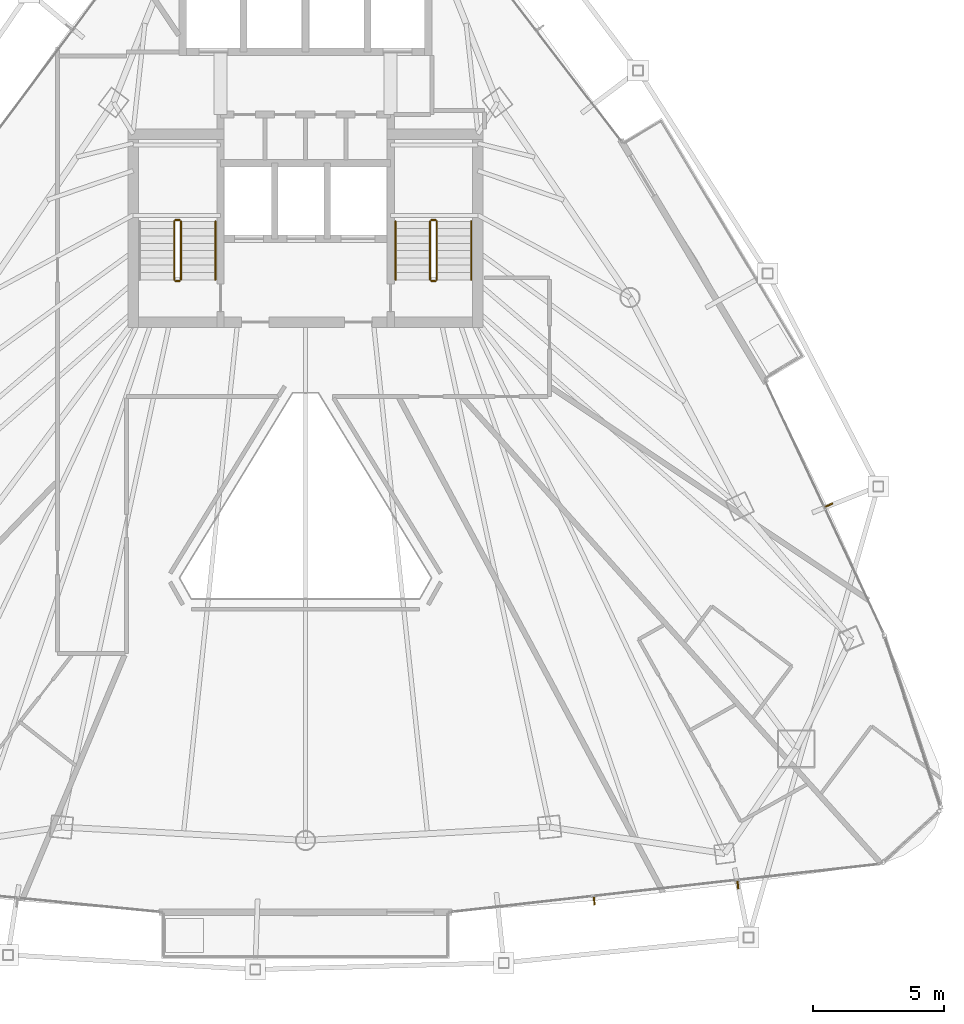
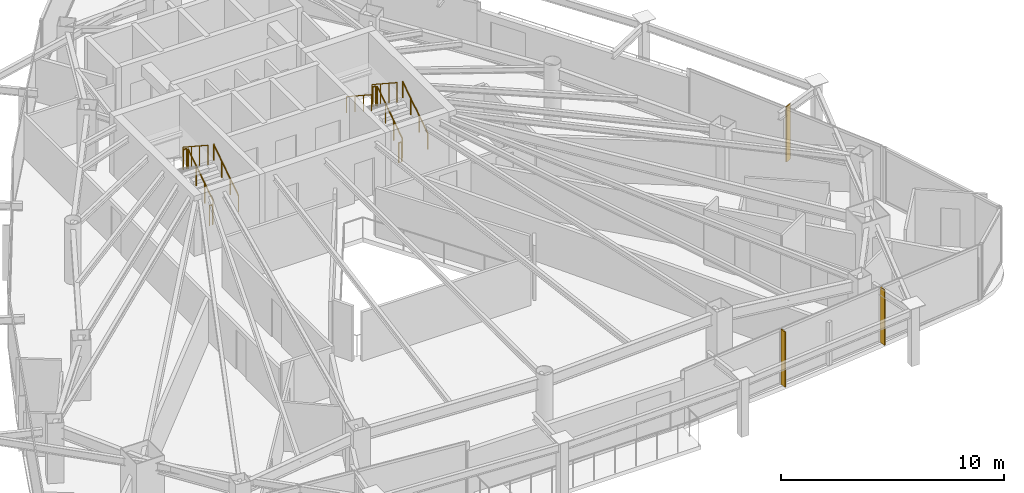
# One storey, part 30 of 31: 11 railings, 3 shading devices.
"""IFC4 building model written with IfcOpenShell, lengths in metres."""

from ifc_helpers import new_model, si_unit, direction, frame, origin, origin_2d, place, context, subcontext, project, spatial, rectangle, circle, extrude, material, layer, layer_set, type_object, element, save


model = new_model("IFC4")

# Units and contexts
model_context = context("Model", 3, precision=1e-05, world=origin(), true_north=direction((0.0, 1.0)))
body_context = subcontext(model_context, "Body", "Model", "MODEL_VIEW")
ifc_project = project(units=[si_unit("LENGTHUNIT", "METRE"), si_unit("AREAUNIT", "SQUARE_METRE"), si_unit("VOLUMEUNIT", "CUBIC_METRE"), si_unit("PLANEANGLEUNIT", "RADIAN"), si_unit("MASSUNIT", "GRAM", prefix="KILO")], contexts=[model_context])

# Site, building, storey
site_placement = place(None, origin())
site = spatial("IfcSite", under=ifc_project, at=site_placement, CompositionType="ELEMENT")
building_placement = place(site_placement, origin())
building = spatial("IfcBuilding", under=site, at=building_placement, Name="Orvanel Arch Residences", CompositionType="ELEMENT")
storey_placement = place(building_placement, frame((0.0, 0.0, 183.64990234375)))
storey = spatial("IfcBuildingStorey", under=building, at=storey_placement, Name="L52", CompositionType="ELEMENT", Elevation=183.64990234375)

# Shading devices
ifc_material_1 = material(Name="Bronze-anodised aluminium AA6063-T6", Category="aluminium")
ifc_layer = layer(ifc_material_1, 0.054931640625)
ifc_layer_set = layer_set([ifc_layer], Name="Bronze-anodised aluminium AA6063-T6")
shading_device_type = type_object("IfcShadingDeviceType", Name="FIN-BRZ-320", PredefinedType="USERDEFINED", material=ifc_layer_set)
for number, where, z_axis, x_axis, name in (
    (1, (44.05908203125, 4.528076171875, 0.0), (0.0, 0.0, 1.0), (0.111468932206, -0.993767919161, 0.0), "L52 Anodised Bronze Mullion FIN 01"),
    (2, (49.56103515625, 5.14306640625, 0.0), (0.0, 0.0, 1.0), (0.111468932206, -0.993767919161, 0.0), "L52 Anodised Bronze Mullion FIN 02"),
    (3, (53.049072265625, 19.68701171875, 0.0), (0.0, 0.0, 1.0), (0.904827052466, 0.425779291565, 0.0), "L52 Anodised Bronze Mullion FIN 01"),
):
    element("IfcShadingDevice", number, at=place(storey_placement, frame(where, z_axis=z_axis, x_axis=x_axis)), inside=storey, type_object=shading_device_type, Name=name, ObjectType="FIN", PredefinedType="USERDEFINED", context=body_context, shape_type="SweptSolid", body=[
        extrude(rectangle(XDim=0.320068359375, YDim=0.054931640625, at=origin_2d()), origin(), (0.0, 0.0, 1.0), 3.02001953125),
    ])

# Railings
ifc_material_2 = material(Name="Structural steel AS/NZS 1163 C350L0 (Grade 350)", Category="steel")
railing_type_1 = type_object("IfcRailingType", Name="RL-STAIR-GUARD", PredefinedType="GUARDRAIL", material=ifc_material_2)
railing_1_placement = place(storey_placement, frame((28.22998046875, 28.320068359375, 0.183349609375)))
element("IfcRailing", 4, at=railing_1_placement, inside=storey, type_object=railing_type_1, Name="L52 ST-1 stair guard 1", PredefinedType="GUARDRAIL", context=body_context, shape_type="SweptSolid", body=[
    extrude(circle(Radius=0.02392578125, at=origin_2d()), frame((0.0, 0.001220703125, 1.076904296875), z_axis=(0.0, 0.836595146698, 0.547821650285), x_axis=(-1.0, 0.0, 0.0)), (0.0, 0.0, 1.0), 2.674560546875),
    extrude(circle(Radius=0.02099609375, at=origin_2d()), origin(), (0.0, 0.0, 1.0), 1.050048828125),
    extrude(circle(Radius=0.02099609375, at=origin_2d()), frame((0.0, 0.74658203125, 0.489013671875)), (0.0, 0.0, 1.0), 1.050048828125),
    extrude(circle(Radius=0.02099609375, at=origin_2d()), frame((0.0, 1.493408203125, 0.977783203125)), (0.0, 0.0, 1.0), 1.050048828125),
    extrude(circle(Radius=0.02099609375, at=origin_2d()), frame((0.0, 2.239990234375, 1.466796875)), (0.0, 0.0, 1.0), 1.050048828125),
])
railing_2_placement = place(storey_placement, frame((28.179931640625, 30.610107421875, 1.650146484375)))
element("IfcRailing", 5, at=railing_2_placement, inside=storey, type_object=railing_type_1, Name="L52 ST-1 stair guard 2", PredefinedType="GUARDRAIL", context=body_context, shape_type="SweptSolid", body=[
    extrude(circle(Radius=0.02392578125, at=origin_2d()), frame((-0.00146484375, 0.0, 1.076171875), z_axis=(-1.0, 0.0, 0.0), x_axis=(0.0, -1.0, 0.0)), (0.0, 0.0, 1.0), 0.156982421875),
    extrude(circle(Radius=0.02099609375, at=origin_2d()), origin(), (0.0, 0.0, 1.0), 1.050048828125),
    extrude(circle(Radius=0.02099609375, at=origin_2d()), frame((-0.159912109375, 0.0, 0.0)), (0.0, 0.0, 1.0), 1.050048828125),
])
railing_3_placement = place(storey_placement, frame((27.969970703125, 30.56005859375, 1.83349609375)))
element("IfcRailing", 6, at=railing_3_placement, inside=storey, type_object=railing_type_1, Name="L52 ST-1 stair guard 3", PredefinedType="GUARDRAIL", context=body_context, shape_type="SweptSolid", body=[
    extrude(circle(Radius=0.02392578125, at=origin_2d()), frame((0.0, -0.001220703125, 1.076904296875), z_axis=(0.0, -0.836636935527, 0.547757827979), x_axis=(1.0, 0.0, 0.0)), (0.0, 0.0, 1.0), 2.67431640625),
    extrude(circle(Radius=0.02099609375, at=origin_2d()), origin(), (0.0, 0.0, 1.0), 1.050048828125),
    extrude(circle(Radius=0.02099609375, at=origin_2d()), frame((0.0, -0.74658203125, 0.48876953125)), (0.0, 0.0, 1.0), 1.050048828125),
    extrude(circle(Radius=0.02099609375, at=origin_2d()), frame((0.0, -1.493408203125, 0.977783203125)), (0.0, 0.0, 1.0), 1.050048828125),
    extrude(circle(Radius=0.02099609375, at=origin_2d()), frame((0.0, -2.239990234375, 1.466552734375)), (0.0, 0.0, 1.0), 1.050048828125),
])
railing_4_placement = place(storey_placement, frame((28.179931640625, 28.27001953125, 0.0)))
element("IfcRailing", 7, at=railing_4_placement, inside=storey, type_object=railing_type_1, Name="L52 ST-1 stair guard 4", PredefinedType="GUARDRAIL", context=body_context, shape_type="SweptSolid", body=[
    extrude(circle(Radius=0.02392578125, at=origin_2d()), frame((-0.00146484375, 0.0, 1.076171875), z_axis=(-1.0, 0.0, 0.0), x_axis=(0.0, -1.0, 0.0)), (0.0, 0.0, 1.0), 0.156982421875),
    extrude(circle(Radius=0.02099609375, at=origin_2d()), origin(), (0.0, 0.0, 1.0), 1.050048828125),
    extrude(circle(Radius=0.02099609375, at=origin_2d()), frame((-0.159912109375, 0.0, 0.0)), (0.0, 0.0, 1.0), 1.050048828125),
])
railing_5_placement = place(storey_placement, frame((38.030029296875, 28.320068359375, 0.183349609375)))
element("IfcRailing", 8, at=railing_5_placement, inside=storey, type_object=railing_type_1, Name="L52 ST-2 stair guard 1", PredefinedType="GUARDRAIL", context=body_context, shape_type="SweptSolid", body=[
    extrude(circle(Radius=0.02392578125, at=origin_2d()), frame((0.0, 0.001220703125, 1.076904296875), z_axis=(0.0, 0.836595146698, 0.547821650285), x_axis=(-1.0, 0.0, 0.0)), (0.0, 0.0, 1.0), 2.674560546875),
    extrude(circle(Radius=0.02099609375, at=origin_2d()), origin(), (0.0, 0.0, 1.0), 1.050048828125),
    extrude(circle(Radius=0.02099609375, at=origin_2d()), frame((0.0, 0.74658203125, 0.489013671875)), (0.0, 0.0, 1.0), 1.050048828125),
    extrude(circle(Radius=0.02099609375, at=origin_2d()), frame((0.0, 1.493408203125, 0.977783203125)), (0.0, 0.0, 1.0), 1.050048828125),
    extrude(circle(Radius=0.02099609375, at=origin_2d()), frame((0.0, 2.239990234375, 1.466796875)), (0.0, 0.0, 1.0), 1.050048828125),
])
railing_6_placement = place(storey_placement, frame((37.97998046875, 30.610107421875, 1.650146484375)))
element("IfcRailing", 9, at=railing_6_placement, inside=storey, type_object=railing_type_1, Name="L52 ST-2 stair guard 2", PredefinedType="GUARDRAIL", context=body_context, shape_type="SweptSolid", body=[
    extrude(circle(Radius=0.02392578125, at=origin_2d()), frame((-0.00146484375, 0.0, 1.076171875), z_axis=(-1.0, 0.0, 0.0), x_axis=(0.0, -1.0, 0.0)), (0.0, 0.0, 1.0), 0.156982421875),
    extrude(circle(Radius=0.02099609375, at=origin_2d()), origin(), (0.0, 0.0, 1.0), 1.050048828125),
    extrude(circle(Radius=0.02099609375, at=origin_2d()), frame((-0.159912109375, 0.0, 0.0)), (0.0, 0.0, 1.0), 1.050048828125),
])
railing_7_placement = place(storey_placement, frame((37.77001953125, 30.56005859375, 1.83349609375)))
element("IfcRailing", 10, at=railing_7_placement, inside=storey, type_object=railing_type_1, Name="L52 ST-2 stair guard 3", PredefinedType="GUARDRAIL", context=body_context, shape_type="SweptSolid", body=[
    extrude(circle(Radius=0.02392578125, at=origin_2d()), frame((0.0, -0.001220703125, 1.076904296875), z_axis=(0.0, -0.836636935527, 0.547757827979), x_axis=(1.0, 0.0, 0.0)), (0.0, 0.0, 1.0), 2.67431640625),
    extrude(circle(Radius=0.02099609375, at=origin_2d()), origin(), (0.0, 0.0, 1.0), 1.050048828125),
    extrude(circle(Radius=0.02099609375, at=origin_2d()), frame((0.0, -0.74658203125, 0.48876953125)), (0.0, 0.0, 1.0), 1.050048828125),
    extrude(circle(Radius=0.02099609375, at=origin_2d()), frame((0.0, -1.493408203125, 0.977783203125)), (0.0, 0.0, 1.0), 1.050048828125),
    extrude(circle(Radius=0.02099609375, at=origin_2d()), frame((0.0, -2.239990234375, 1.466552734375)), (0.0, 0.0, 1.0), 1.050048828125),
])
railing_8_placement = place(storey_placement, frame((37.97998046875, 28.27001953125, 0.0)))
element("IfcRailing", 11, at=railing_8_placement, inside=storey, type_object=railing_type_1, Name="L52 ST-2 stair guard 4", PredefinedType="GUARDRAIL", context=body_context, shape_type="SweptSolid", body=[
    extrude(circle(Radius=0.02392578125, at=origin_2d()), frame((-0.00146484375, 0.0, 1.076171875), z_axis=(-1.0, 0.0, 0.0), x_axis=(0.0, -1.0, 0.0)), (0.0, 0.0, 1.0), 0.156982421875),
    extrude(circle(Radius=0.02099609375, at=origin_2d()), origin(), (0.0, 0.0, 1.0), 1.050048828125),
    extrude(circle(Radius=0.02099609375, at=origin_2d()), frame((-0.159912109375, 0.0, 0.0)), (0.0, 0.0, 1.0), 1.050048828125),
])
railing_type_2 = type_object("IfcRailingType", Name="RL-STAIR-HAND", PredefinedType="HANDRAIL", material=ifc_material_2)
for number, where, name in (
    (12, (29.550048828125, 28.320068359375, 0.183349609375), "L52 ST-1 stair handrail 1"),
    (13, (39.35009765625, 28.320068359375, 0.183349609375), "L52 ST-2 stair handrail 1"),
):
    element("IfcRailing", number, at=place(storey_placement, frame(where)), inside=storey, type_object=railing_type_2, Name=name, PredefinedType="HANDRAIL", context=body_context, shape_type="SweptSolid", body=[
        extrude(circle(Radius=0.02392578125, at=origin_2d()), frame((0.0, 0.001220703125, 0.876708984375), z_axis=(0.0, 0.836595146698, 0.547821650285), x_axis=(-1.0, 0.0, 0.0)), (0.0, 0.0, 1.0), 2.674560546875),
        extrude(circle(Radius=0.02099609375, at=origin_2d()), origin(), (0.0, 0.0, 1.0), 0.849853515625),
        extrude(circle(Radius=0.02099609375, at=origin_2d()), frame((0.0, 0.74658203125, 0.489013671875)), (0.0, 0.0, 1.0), 0.849853515625),
        extrude(circle(Radius=0.02099609375, at=origin_2d()), frame((0.0, 1.493408203125, 0.977783203125)), (0.0, 0.0, 1.0), 0.849853515625),
        extrude(circle(Radius=0.02099609375, at=origin_2d()), frame((0.0, 2.239990234375, 1.466796875)), (0.0, 0.0, 1.0), 0.849853515625),
    ])
railing_9_placement = place(storey_placement, frame((36.449951171875, 30.56005859375, 1.83349609375)))
element("IfcRailing", 14, at=railing_9_placement, inside=storey, type_object=railing_type_2, Name="L52 ST-2 stair handrail 2", PredefinedType="HANDRAIL", context=body_context, shape_type="SweptSolid", body=[
    extrude(circle(Radius=0.02392578125, at=origin_2d()), frame((0.0, -0.001220703125, 0.876708984375), z_axis=(0.0, -0.836636935527, 0.547757827979), x_axis=(1.0, 0.0, 0.0)), (0.0, 0.0, 1.0), 2.67431640625),
    extrude(circle(Radius=0.02099609375, at=origin_2d()), origin(), (0.0, 0.0, 1.0), 0.849853515625),
    extrude(circle(Radius=0.02099609375, at=origin_2d()), frame((0.0, -0.74658203125, 0.48876953125)), (0.0, 0.0, 1.0), 0.849853515625),
    extrude(circle(Radius=0.02099609375, at=origin_2d()), frame((0.0, -1.493408203125, 0.977783203125)), (0.0, 0.0, 1.0), 0.849853515625),
    extrude(circle(Radius=0.02099609375, at=origin_2d()), frame((0.0, -2.239990234375, 1.466552734375)), (0.0, 0.0, 1.0), 0.849853515625),
])

save(model, "model.ifc")
